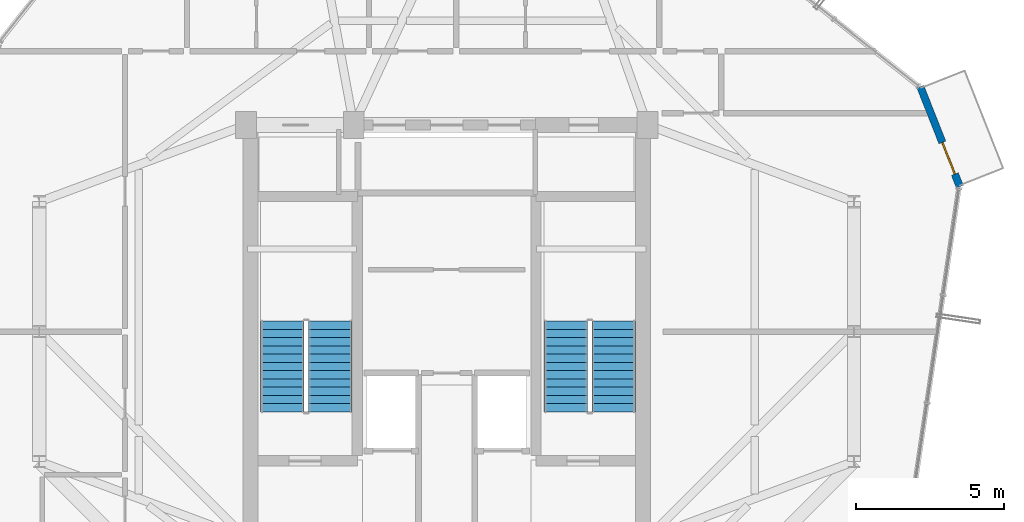
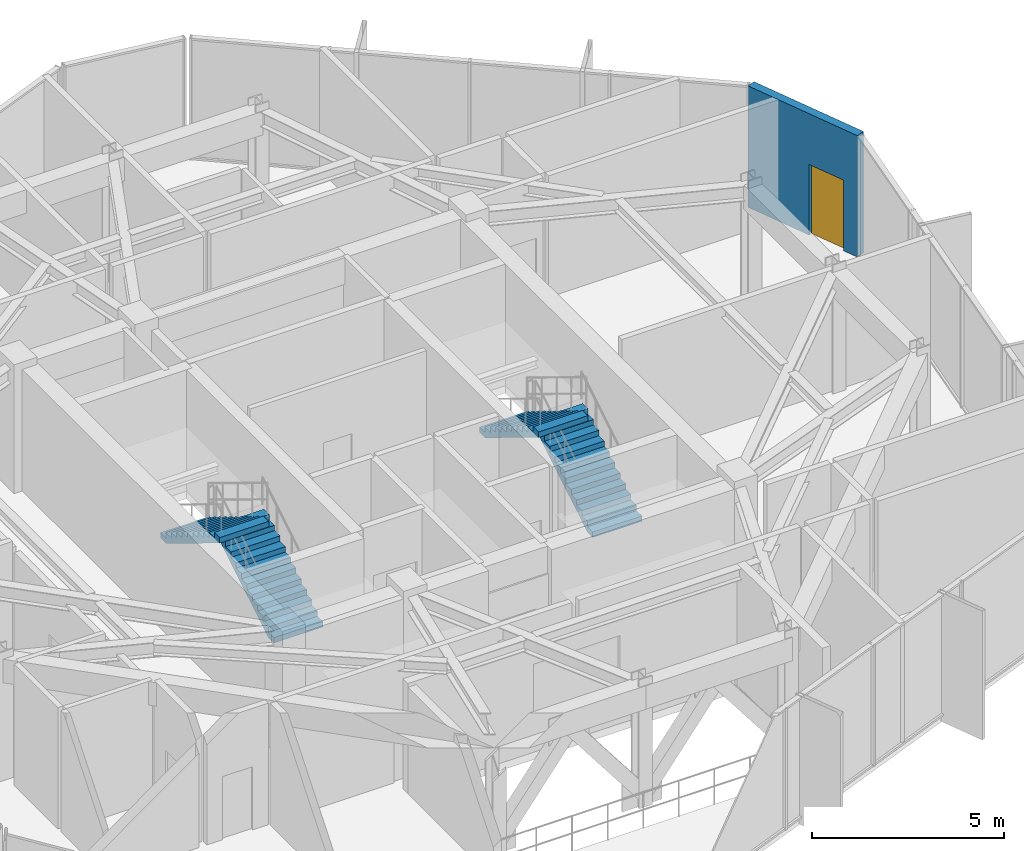
# One storey, part 20 of 22: 4 stair flights, 1 door, 1 wall, 1 opening, 2 elements without a shape of their own.
"""IFC4 building model written with IfcOpenShell, lengths in metres."""

import ifcopenshell
import ifcopenshell.guid

model = None  # the IFC model being written
_history = None  # IfcOwnerHistory: only IFC2X3 demands one
_inside = {}  # id of a spatial element -> (the spatial element, [elements in it])
_under = {}  # id of a project, library or spatial element -> (it, [spatial elements below it])
_declared = {}  # id of a project -> (the project, [libraries it declares])
_typed = {}  # id of a type object -> (the type object, [elements of that type])
_made_of = {}  # id of a material, layer set ... -> (it, [elements and type objects made of it])


def new_model(schema):
    """Start an empty IFC model of exactly this schema.

    Asked for "IFC4X3", IfcOpenShell would pick the latest addendum, in which some entities
    have other attributes; the version numbers below select the first issue.
    IFC2X3 requires an IfcOwnerHistory on every rooted entity: one is made here for all.
    """
    global model, _history
    if schema == "IFC4X3":
        model = ifcopenshell.file(schema_version=(4, 3, 0, 0))
    else:
        model = ifcopenshell.file(schema=schema)
    _inside.clear()
    _under.clear()
    _declared.clear()
    _typed.clear()
    _made_of.clear()
    _history = None
    if model.schema == "IFC2X3":
        org = make("IfcOrganization", Name="unknown")
        user = make(
            "IfcPersonAndOrganization",
            ThePerson=make("IfcPerson", FamilyName="unknown"),
            TheOrganization=org,
        )
        app = make(
            "IfcApplication",
            ApplicationDeveloper=org,
            Version="unknown",
            ApplicationFullName="unknown",
            ApplicationIdentifier="unknown",
        )
        _history = make(
            "IfcOwnerHistory",
            OwningUser=user,
            OwningApplication=app,
            ChangeAction="ADDED",
            CreationDate=0,
        )
    return model


def make(cls, **values):
    """One entity of the class cls with the attributes given. An attribute that is None is left unset."""
    return model.create_entity(
        cls, **{name: value for name, value in values.items() if value is not None}
    )


def rooted(cls, **values):
    """An entity with a GlobalId (a new one), such as an element, a storey or a relation."""
    return make(cls, GlobalId=ifcopenshell.guid.new(), OwnerHistory=_history, **values)


def si_unit(unit_type, name, prefix=None):
    """IfcSIUnit, for example si_unit("LENGTHUNIT", "METRE", prefix="MILLI")."""
    return make("IfcSIUnit", UnitType=unit_type, Prefix=prefix, Name=name)


def assignment(units):
    """IfcUnitAssignment: the units of a project."""
    return None if units is None else make("IfcUnitAssignment", Units=units)


def point(xyz):
    """IfcCartesianPoint."""
    return None if xyz is None else make("IfcCartesianPoint", Coordinates=xyz)


def direction(xyz):
    """IfcDirection."""
    return None if xyz is None else make("IfcDirection", DirectionRatios=xyz)


def frame(location, z_axis=None, x_axis=None):
    """IfcAxis2Placement3D, a coordinate frame: its origin and axes. An axis left out is left unset."""
    return make(
        "IfcAxis2Placement3D",
        Location=point(location),
        Axis=direction(z_axis),
        RefDirection=direction(x_axis),
    )


def frame_2d(location, x_axis=None):
    """IfcAxis2Placement2D, a coordinate frame in the plane: its origin and x axis."""
    return make(
        "IfcAxis2Placement2D", Location=point(location), RefDirection=direction(x_axis)
    )


def origin():
    """The frame at (0, 0, 0) with its axes left unset."""
    return frame((0.0, 0.0, 0.0))


def place(relative_to, where):
    """IfcLocalPlacement: puts the frame where relative to a parent placement (None: the world)."""
    return make(
        "IfcLocalPlacement", PlacementRelTo=relative_to, RelativePlacement=where
    )


def context(
    kind, dimensions, precision=None, world=None, true_north=None, identifier=None
):
    """IfcGeometricRepresentationContext, for example the 3D "Model" context."""
    return make(
        "IfcGeometricRepresentationContext",
        ContextIdentifier=identifier,
        ContextType=kind,
        CoordinateSpaceDimension=dimensions,
        Precision=precision,
        WorldCoordinateSystem=world,
        TrueNorth=true_north,
    )


def subcontext(parent, identifier, kind, view, scale=None):
    """IfcGeometricRepresentationSubContext, for example "Body" below "Model"."""
    return make(
        "IfcGeometricRepresentationSubContext",
        ContextIdentifier=identifier,
        ContextType=kind,
        ParentContext=parent,
        TargetScale=scale,
        TargetView=view,
    )


def project(units=None, contexts=None):
    """IfcProject with its units and contexts."""
    return rooted(
        "IfcProject",
        Name="project",
        RepresentationContexts=contexts,
        UnitsInContext=assignment(units),
    )


def spatial(cls, under=None, at=None, **own):
    """A site, building, storey or space (cls), placed at a placement, below another one or the project."""
    s = rooted(cls, ObjectPlacement=at, **own)
    if under is not None:
        _under.setdefault(under.id(), (under, []))[1].append(s)
    return s


def polyline(points):
    """IfcPolyline through the points."""
    return make("IfcPolyline", Points=[point(p) for p in points])


def profile(cls, at=None, kind="AREA", **sizes):
    """A parametric profile (cls). Its sizes go by their IFC names, for example OverallWidth=200.0."""
    return make(cls, ProfileType=kind, Position=at, **sizes)


def rectangle(**sizes):
    """IfcRectangleProfileDef."""
    return profile("IfcRectangleProfileDef", **sizes)


def outline(outer, holes=None, kind="AREA"):
    """IfcArbitraryClosedProfileDef: a profile drawn as a closed curve; with holes, ...WithVoids."""
    if holes is None:
        return make("IfcArbitraryClosedProfileDef", ProfileType=kind, OuterCurve=outer)
    return make(
        "IfcArbitraryProfileDefWithVoids",
        ProfileType=kind,
        OuterCurve=outer,
        InnerCurves=holes,
    )


def extrude(swept, where, along, depth):
    """IfcExtrudedAreaSolid: the profile swept, set in the frame where, extruded along a direction by depth."""
    return make(
        "IfcExtrudedAreaSolid",
        SweptArea=swept,
        Position=where,
        ExtrudedDirection=direction(along),
        Depth=depth,
    )


def shape(context_of_items, identifier, shape_type, items):
    """IfcShapeRepresentation: the items that make up one representation, for example the "Body"."""
    return make(
        "IfcShapeRepresentation",
        ContextOfItems=context_of_items,
        RepresentationIdentifier=identifier,
        RepresentationType=shape_type,
        Items=items,
    )


def source(mapping_origin, context_of_items, identifier, shape_type, items):
    """IfcRepresentationMap: a shape defined once, which mapped items show again and again."""
    return make(
        "IfcRepresentationMap",
        MappingOrigin=mapping_origin,
        MappedRepresentation=shape(context_of_items, identifier, shape_type, items),
    )


def transform(
    local_origin,
    x_axis=None,
    y_axis=None,
    z_axis=None,
    scale=None,
    scale2=None,
    scale3=None,
    uniform=True,
):
    """IfcCartesianTransformationOperator3D, or its non-uniform kind. x_axis, y_axis, z_axis: its Axis1, 2, 3."""
    if uniform:
        return make(
            "IfcCartesianTransformationOperator3D",
            Axis1=direction(x_axis),
            Axis2=direction(y_axis),
            LocalOrigin=point(local_origin),
            Scale=scale,
            Axis3=direction(z_axis),
        )
    return make(
        "IfcCartesianTransformationOperator3DnonUniform",
        Axis1=direction(x_axis),
        Axis2=direction(y_axis),
        LocalOrigin=point(local_origin),
        Scale=scale,
        Axis3=direction(z_axis),
        Scale2=scale2,
        Scale3=scale3,
    )


def mapped(mapping_source, mapping_target):
    """IfcMappedItem: shows the shape of a source again, moved by a transform."""
    return make(
        "IfcMappedItem", MappingSource=mapping_source, MappingTarget=mapping_target
    )


def material(Name=None, Category=None):
    """IfcMaterial."""
    return make("IfcMaterial", Name=Name, Category=Category)


def layer(
    of_material, thickness, ventilated=None, Name=None, Category=None, Priority=None
):
    """IfcMaterialLayer: one layer of a wall or slab, of a material (None: an air gap)."""
    return make(
        "IfcMaterialLayer",
        Material=of_material,
        LayerThickness=thickness,
        IsVentilated=ventilated,
        Name=Name,
        Category=Category,
        Priority=Priority,
    )


def layer_set(layers, Name=None):
    """IfcMaterialLayerSet."""
    return make("IfcMaterialLayerSet", MaterialLayers=layers, LayerSetName=Name)


def made_of(thing, what):
    """Note that an element or type object is made of a material, layer set ...; save() writes the relation."""
    if what is not None:
        _made_of.setdefault(what.id(), (what, []))[1].append(thing)
    return thing


def type_object(cls, material=None, **own):
    """A type object (cls), such as IfcWallType, which elements share."""
    return made_of(rooted(cls, **own), material)


def element(
    cls,
    number,
    at=None,
    inside=None,
    cuts=None,
    type_object=None,
    material=None,
    context=None,
    identifier="Body",
    shape_type=None,
    held_by="IfcProductDefinitionShape",
    body=None,
    shapes=None,
    **own,
):
    """One element of the class cls, such as IfcWall. Its Tag is "e" and its number.

    at: its placement. inside: the storey or other place that contains it. cuts: it is an
    opening in that element (IfcRelVoidsElement). A single representation is given by context,
    identifier, shape_type and body (its items); several are given by shapes. held_by: the class
    of the entity that holds the representations. save() writes the other relations.
    """
    e = rooted(cls, Tag="e%d" % number, ObjectPlacement=at, **own)
    if body is not None:
        shapes = [shape(context, identifier, shape_type, body)]
    if shapes is not None:
        e.Representation = make(held_by, Representations=shapes)
    if inside is not None:
        _inside.setdefault(inside.id(), (inside, []))[1].append(e)
    if cuts is not None:
        rooted(
            "IfcRelVoidsElement", RelatingBuildingElement=cuts, RelatedOpeningElement=e
        )
    if type_object is not None:
        _typed.setdefault(type_object.id(), (type_object, []))[1].append(e)
    return made_of(e, material)


def fill(opening, filler):
    """IfcRelFillsElement: the door or window that sits in an opening."""
    return rooted(
        "IfcRelFillsElement",
        RelatingOpeningElement=opening,
        RelatedBuildingElement=filler,
    )


def aggregate(whole, parts):
    """IfcRelAggregates: a whole, such as a stair, and the parts it consists of."""
    return rooted("IfcRelAggregates", RelatingObject=whole, RelatedObjects=parts)


def save(model, path):
    """Write the relations noted so far, then the file.

    IfcRelAggregates (storeys below a building ...), IfcRelContainedInSpatialStructure (elements
    in a storey), IfcRelDefinesByType, IfcRelAssociatesMaterial and IfcRelDeclares: one each for
    every whole, place, type object, material and project.
    """
    for whole, parts in _under.values():
        aggregate(whole, parts)
    for where, things in _inside.values():
        rooted(
            "IfcRelContainedInSpatialStructure",
            RelatedElements=things,
            RelatingStructure=where,
        )
    for kind, things in _typed.values():
        rooted("IfcRelDefinesByType", RelatedObjects=things, RelatingType=kind)
    for what, things in _made_of.values():
        rooted("IfcRelAssociatesMaterial", RelatedObjects=things, RelatingMaterial=what)
    for by, libraries in _declared.values():
        rooted("IfcRelDeclares", RelatingContext=by, RelatedDefinitions=libraries)
    model.write(path)


model = new_model("IFC4")

# Units and contexts
model_context = context("Model", 3, precision=1e-05, world=origin(), true_north=direction((0.0, 1.0)))
body_context = subcontext(model_context, "Body", "Model", "MODEL_VIEW")
ifc_project = project(units=[si_unit("LENGTHUNIT", "METRE"), si_unit("AREAUNIT", "SQUARE_METRE"), si_unit("VOLUMEUNIT", "CUBIC_METRE"), si_unit("PLANEANGLEUNIT", "RADIAN"), si_unit("MASSUNIT", "GRAM", prefix="KILO")], contexts=[model_context])

# Site, building, storey
site_placement = place(None, origin())
site = spatial("IfcSite", under=ifc_project, at=site_placement, CompositionType="ELEMENT")
building_placement = place(site_placement, origin())
building = spatial("IfcBuilding", under=site, at=building_placement, Name="Veraguas Prism Commons", CompositionType="ELEMENT")
storey_placement = place(building_placement, frame((0.0, 0.0, 236.550048828125)))
storey = spatial("IfcBuildingStorey", under=building, at=storey_placement, Name="L67", CompositionType="ELEMENT", Elevation=236.550048828125)

# Wall, opening, door
ifc_material_1 = material(Name="Precast concrete C40/50", Category="concrete")
ifc_layer = layer(ifc_material_1, 0.25, Name="External Loggia and Portal Wall 250", Category="concrete")
ifc_layer_set = layer_set([ifc_layer], Name="Precast concrete C40/50")
wall_type = type_object("IfcWallType", Name="External Loggia and Portal Wall 250", PredefinedType="SOLIDWALL", material=ifc_layer_set)
wall_placement = place(storey_placement, frame((41.38330078125, 28.910400390625, 0.0), z_axis=(0.0, 0.0, 1.0), x_axis=(-0.367458010502, 0.930040112317, 0.0)))
wall = element("IfcWall", 1, at=wall_placement, inside=storey, type_object=wall_type, Name="Corner Loggia Wall L67-C1", PredefinedType="SOLIDWALL", context=body_context, shape_type="SweptSolid", body=[
    extrude(rectangle(XDim=3.642333984375, YDim=0.25, at=frame_2d((1.8212890625, 0.0))), origin(), (0.0, 0.0, 1.0), 3.864990234375),
])
opening_placement = place(wall_placement, frame((0.4599609375, 0.0, 0.0)))
opening = element("IfcOpeningElement", 2, at=opening_placement, cuts=wall, Name="Opening DR-10", PredefinedType="OPENING", context=body_context, shape_type="SweptSolid", body=[
    extrude(rectangle(XDim=1.14990234375, YDim=2.25, at=frame_2d((0.574951171875, 1.125))), frame((0.0, 0.135009765625, 0.0), z_axis=(0.0, -1.0, 0.0), x_axis=(1.0, 0.0, 0.0)), (0.0, 0.0, 1.0), 0.27001953125),
])
ifc_material_2 = material(Name="Anodised aluminium EN AW-6063 T6", Category="aluminium")
door_type = type_object("IfcDoorType", Name="Glazed Loggia and Terrace Door 1150x2250", OperationType="NOTDEFINED", PredefinedType="DOOR", material=ifc_material_2)
shared_shape = source(origin(), body_context, "Body", "SweptSolid", [
    extrude(rectangle(XDim=1.14990234375, YDim=2.25, at=frame_2d((0.574951171875, 1.125))), frame((0.0, 0.02490234375, 0.0), z_axis=(0.0, -1.0, 0.0), x_axis=(1.0, 0.0, 0.0)), (0.0, 0.0, 1.0), 0.050048828125),
])
door_placement = place(opening_placement, frame((1.14990234375, 0.0, 0.0), z_axis=(0.0, 0.0, 1.0), x_axis=(-1.0, 0.0, 0.0)))
door = element("IfcDoor", 3, at=door_placement, inside=storey, type_object=door_type, Name="Recessed Loggia Door L67-C1", OperationType="SINGLE_SWING_LEFT", OverallHeight=2.25, OverallWidth=1.14990234375, PredefinedType="DOOR", context=body_context, shape_type="MappedRepresentation", body=[
    mapped(shared_shape, transform((0.0, 0.0, 0.0), scale=1.0)),
])
fill(opening, door)

# Stair, stair flights
ifc_material_3 = material(Name="Precast concrete C45/55", Category="concrete")
stair_type = type_object("IfcStairType", Name="Dogleg Core Stair 1480W 24R 08", PredefinedType="HALF_TURN_STAIR", material=ifc_material_3)
stair_1_placement = place(storey_placement, origin())
stair_1 = element("IfcStair", 4, at=stair_1_placement, inside=storey, type_object=stair_type, Name="Protected Exit Stair ST-01 L67", PredefinedType="HALF_TURN_STAIR")
stair_flight_type = type_object("IfcStairFlightType", Name="Precast Stair Flight 1480W 12R 08", PredefinedType="STRAIGHT", material=ifc_material_3)
stair_flight_1_placement = place(storey_placement, frame((20.06005859375, 21.280029296875, 0.0), z_axis=(0.0, 0.0, 1.0), x_axis=(0.0, 1.0, 0.0)))
stair_flight_1 = element("IfcStairFlight", 5, at=stair_flight_1_placement, type_object=stair_flight_type, Name="ST-08 Flight 1", NumberOfRisers=12, NumberOfTreads=11, PredefinedType="STRAIGHT", RiserHeight=0.170833333, TreadLength=0.28, context=body_context, shape_type="SweptSolid", body=[
    extrude(outline(polyline([(0.0, 0.0), (0.0, 0.1708984375), (0.280029296875, 0.1708984375), (0.280029296875, 0.341552734375), (0.56005859375, 0.341552734375), (0.56005859375, 0.512451171875), (0.840087890625, 0.512451171875), (0.840087890625, 0.683349609375), (1.1201171875, 0.683349609375), (1.1201171875, 0.854248046875), (1.39990234375, 0.854248046875), (1.39990234375, 1.02490234375), (1.679931640625, 1.02490234375), (1.679931640625, 1.19580078125), (1.9599609375, 1.19580078125), (1.9599609375, 1.36669921875), (2.239990234375, 1.36669921875), (2.239990234375, 1.53759765625), (2.52001953125, 1.53759765625), (2.52001953125, 1.708251953125), (2.800048828125, 1.708251953125), (2.800048828125, 1.879150390625), (3.080078125, 1.879150390625), (3.080078125, 2.050048828125), (3.080078125, 1.70361328125), (0.287841796875, 0.0), (0.0, 0.0)])), frame((0.0, 0.739990234375, 0.0), z_axis=(0.0, -1.0, 0.0), x_axis=(1.0, 0.0, 0.0)), (0.0, 0.0, 1.0), 1.47998046875),
])
stair_flight_2_placement = place(storey_placement, frame((18.429931640625, 24.360107421875, 2.050048828125), z_axis=(0.0, 0.0, 1.0), x_axis=(0.0, -1.0, 0.0)))
stair_flight_2 = element("IfcStairFlight", 6, at=stair_flight_2_placement, type_object=stair_flight_type, Name="ST-08 Flight 2", NumberOfRisers=12, NumberOfTreads=11, PredefinedType="STRAIGHT", RiserHeight=0.170833333, TreadLength=0.28, context=body_context, shape_type="SweptSolid", body=[
    extrude(outline(polyline([(0.0, 0.0), (0.0, 0.1708984375), (0.280029296875, 0.1708984375), (0.280029296875, 0.341552734375), (0.56005859375, 0.341552734375), (0.56005859375, 0.512451171875), (0.840087890625, 0.512451171875), (0.840087890625, 0.683349609375), (1.1201171875, 0.683349609375), (1.1201171875, 0.854248046875), (1.39990234375, 0.854248046875), (1.39990234375, 1.02490234375), (1.679931640625, 1.02490234375), (1.679931640625, 1.19580078125), (1.9599609375, 1.19580078125), (1.9599609375, 1.36669921875), (2.239990234375, 1.36669921875), (2.239990234375, 1.53759765625), (2.52001953125, 1.53759765625), (2.52001953125, 1.708251953125), (2.800048828125, 1.708251953125), (2.800048828125, 1.879150390625), (3.080078125, 1.879150390625), (3.080078125, 2.050048828125), (3.080078125, 1.70361328125), (0.287841796875, 0.0), (0.0, 0.0)])), frame((0.0, 0.739990234375, 0.0), z_axis=(0.0, -1.0, 0.0), x_axis=(1.0, 0.0, 0.0)), (0.0, 0.0, 1.0), 1.47998046875),
])
aggregate(stair_1, [stair_flight_1, stair_flight_2])

stair_2_placement = place(storey_placement, origin())
stair_2 = element("IfcStair", 7, at=stair_2_placement, inside=storey, type_object=stair_type, Name="Protected Exit Stair ST-02 L67", PredefinedType="HALF_TURN_STAIR")
stair_flight_3_placement = place(storey_placement, frame((29.659912109375, 21.280029296875, 0.0), z_axis=(0.0, 0.0, 1.0), x_axis=(0.0, 1.0, 0.0)))
stair_flight_3 = element("IfcStairFlight", 8, at=stair_flight_3_placement, type_object=stair_flight_type, Name="ST-08 Flight 1", NumberOfRisers=12, NumberOfTreads=11, PredefinedType="STRAIGHT", RiserHeight=0.170833333, TreadLength=0.28, context=body_context, shape_type="SweptSolid", body=[
    extrude(outline(polyline([(0.0, 0.0), (0.0, 0.1708984375), (0.280029296875, 0.1708984375), (0.280029296875, 0.341552734375), (0.56005859375, 0.341552734375), (0.56005859375, 0.512451171875), (0.840087890625, 0.512451171875), (0.840087890625, 0.683349609375), (1.1201171875, 0.683349609375), (1.1201171875, 0.854248046875), (1.39990234375, 0.854248046875), (1.39990234375, 1.02490234375), (1.679931640625, 1.02490234375), (1.679931640625, 1.19580078125), (1.9599609375, 1.19580078125), (1.9599609375, 1.36669921875), (2.239990234375, 1.36669921875), (2.239990234375, 1.53759765625), (2.52001953125, 1.53759765625), (2.52001953125, 1.708251953125), (2.800048828125, 1.708251953125), (2.800048828125, 1.879150390625), (3.080078125, 1.879150390625), (3.080078125, 2.050048828125), (3.080078125, 1.70361328125), (0.287841796875, 0.0), (0.0, 0.0)])), frame((0.0, 0.739990234375, 0.0), z_axis=(0.0, -1.0, 0.0), x_axis=(1.0, 0.0, 0.0)), (0.0, 0.0, 1.0), 1.47998046875),
])
stair_flight_4_placement = place(storey_placement, frame((28.030029296875, 24.360107421875, 2.050048828125), z_axis=(0.0, 0.0, 1.0), x_axis=(0.0, -1.0, 0.0)))
stair_flight_4 = element("IfcStairFlight", 9, at=stair_flight_4_placement, type_object=stair_flight_type, Name="ST-08 Flight 2", NumberOfRisers=12, NumberOfTreads=11, PredefinedType="STRAIGHT", RiserHeight=0.170833333, TreadLength=0.28, context=body_context, shape_type="SweptSolid", body=[
    extrude(outline(polyline([(0.0, 0.0), (0.0, 0.1708984375), (0.280029296875, 0.1708984375), (0.280029296875, 0.341552734375), (0.56005859375, 0.341552734375), (0.56005859375, 0.512451171875), (0.840087890625, 0.512451171875), (0.840087890625, 0.683349609375), (1.1201171875, 0.683349609375), (1.1201171875, 0.854248046875), (1.39990234375, 0.854248046875), (1.39990234375, 1.02490234375), (1.679931640625, 1.02490234375), (1.679931640625, 1.19580078125), (1.9599609375, 1.19580078125), (1.9599609375, 1.36669921875), (2.239990234375, 1.36669921875), (2.239990234375, 1.53759765625), (2.52001953125, 1.53759765625), (2.52001953125, 1.708251953125), (2.800048828125, 1.708251953125), (2.800048828125, 1.879150390625), (3.080078125, 1.879150390625), (3.080078125, 2.050048828125), (3.080078125, 1.70361328125), (0.287841796875, 0.0), (0.0, 0.0)])), frame((0.0, 0.739990234375, 0.0), z_axis=(0.0, -1.0, 0.0), x_axis=(1.0, 0.0, 0.0)), (0.0, 0.0, 1.0), 1.47998046875),
])
aggregate(stair_2, [stair_flight_3, stair_flight_4])

save(model, "model.ifc")
